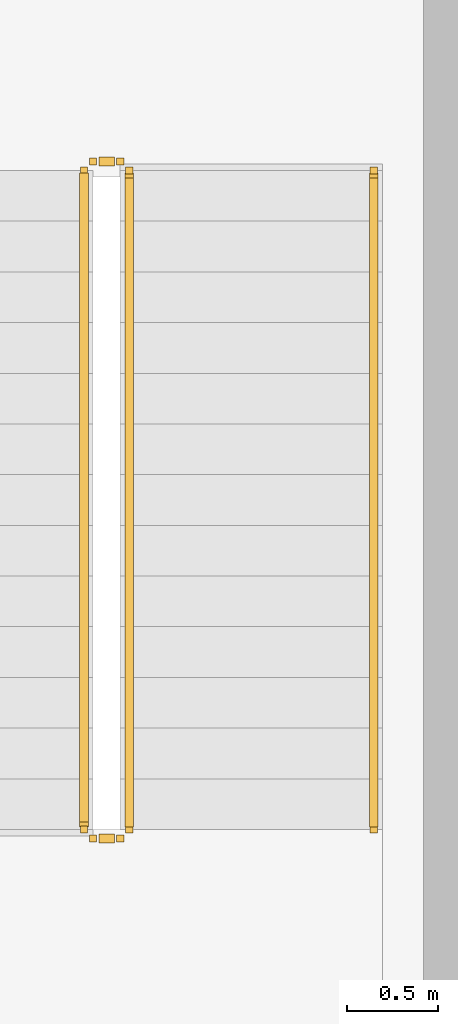
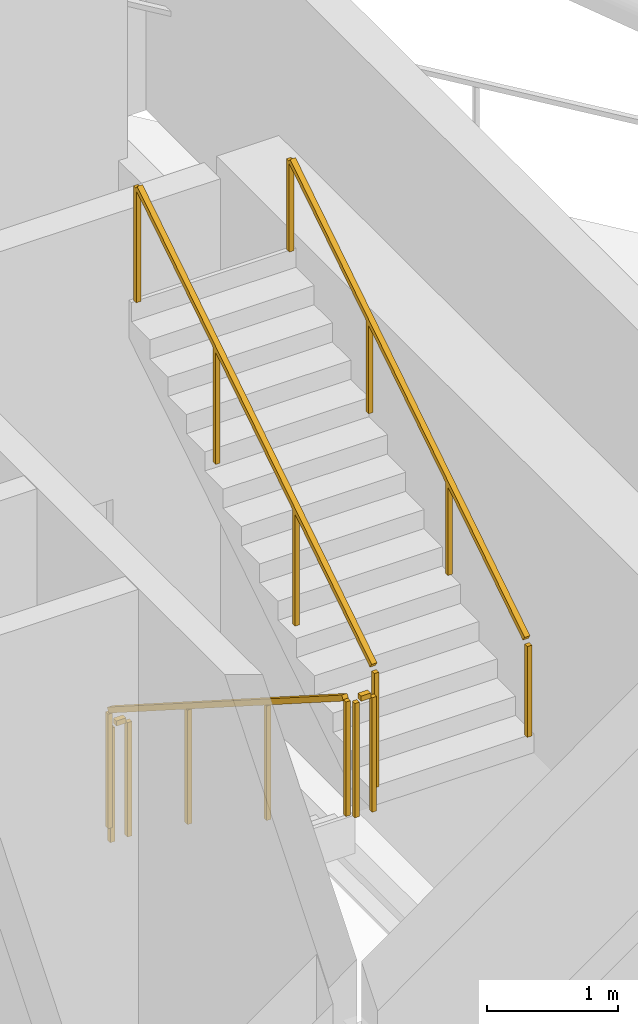
# One storey, part 12 of 13: 5 railings.
"""IFC4 building model written with IfcOpenShell, lengths in metres."""

from ifc_helpers import new_model, si_unit, direction, frame, origin, origin_2d, place, context, subcontext, project, spatial, rectangle, extrude, material, type_object, element, save


model = new_model("IFC4")

# Units and contexts
model_context = context("Model", 3, precision=1e-05, world=origin(), true_north=direction((0.0, 1.0)))
body_context = subcontext(model_context, "Body", "Model", "MODEL_VIEW")
ifc_project = project(units=[si_unit("LENGTHUNIT", "METRE"), si_unit("AREAUNIT", "SQUARE_METRE"), si_unit("VOLUMEUNIT", "CUBIC_METRE"), si_unit("PLANEANGLEUNIT", "RADIAN"), si_unit("MASSUNIT", "GRAM", prefix="KILO")], contexts=[model_context])

# Site, building, storey
site_placement = place(None, origin())
site = spatial("IfcSite", under=ifc_project, at=site_placement, CompositionType="ELEMENT")
building_placement = place(site_placement, origin())
building = spatial("IfcBuilding", under=site, at=building_placement, Name="Tharavind Bronze Gate", CompositionType="ELEMENT")
storey_placement = place(building_placement, frame((0.0, 0.0, 81.10009765625)))
storey = spatial("IfcBuildingStorey", under=building, at=storey_placement, Name="L20", CompositionType="ELEMENT", Elevation=81.10009765625)

# Railings
ifc_material = material(Name="Brushed Bronze Alloy", Category="metal")
railing_type_1 = type_object("IfcRailingType", Name="STAIR BRONZE HANDRAIL 900", PredefinedType="HANDRAIL", material=ifc_material)
railing_1_placement = place(storey_placement, frame((8.35009765625, -1.389892578125, 2.678466796875)))
element("IfcRailing", 1, at=railing_1_placement, inside=storey, type_object=railing_type_1, Name="L20 ST2 stair handrail 2", PredefinedType="HANDRAIL", context=body_context, shape_type="SweptSolid", body=[
    extrude(rectangle(XDim=0.048095703125, YDim=0.048095703125, at=origin_2d()), frame((0.0, 0.027099609375, 0.89306640625), z_axis=(0.0, 0.843111507901, 0.53773877045), x_axis=(-1.0, 0.0, 0.0)), (0.0, 0.0, 1.0), 4.253173828125),
    extrude(rectangle(XDim=0.0400390625, YDim=0.0400390625, at=origin_2d()), origin(), (0.0, 0.0, 1.0), 0.847900390625),
    extrude(rectangle(XDim=0.0400390625, YDim=0.0400390625, at=origin_2d()), frame((0.0, 1.21337890625, 0.77392578125)), (0.0, 0.0, 1.0), 0.847900390625),
    extrude(rectangle(XDim=0.0400390625, YDim=0.0400390625, at=origin_2d()), frame((0.0, 2.426513671875, 1.547607421875)), (0.0, 0.0, 1.0), 0.847900390625),
    extrude(rectangle(XDim=0.0400390625, YDim=0.0400390625, at=origin_2d()), frame((0.0, 3.639892578125, 2.321533203125)), (0.0, 0.0, 1.0), 0.847900390625),
])
railing_type_2 = type_object("IfcRailingType", Name="STAIR WELL GUARD RAILING 1120", PredefinedType="GUARDRAIL", material=ifc_material)
railing_2_placement = place(storey_placement, frame((6.75, 2.25, 0.178466796875)))
element("IfcRailing", 2, at=railing_2_placement, inside=storey, type_object=railing_type_2, Name="L20 ST2 stair guard 1", PredefinedType="GUARDRAIL", context=body_context, shape_type="SweptSolid", body=[
    extrude(rectangle(XDim=0.048095703125, YDim=0.048095703125, at=origin_2d()), frame((0.0, -0.027099609375, 1.11328125), z_axis=(0.0, -0.843111507901, 0.53773877045), x_axis=(1.0, 0.0, 0.0)), (0.0, 0.0, 1.0), 4.253173828125),
    extrude(rectangle(XDim=0.0400390625, YDim=0.0400390625, at=origin_2d()), origin(), (0.0, 0.0, 1.0), 1.068115234375),
    extrude(rectangle(XDim=0.0400390625, YDim=0.0400390625, at=origin_2d()), frame((0.0, -1.21337890625, 0.77392578125)), (0.0, 0.0, 1.0), 1.068115234375),
    extrude(rectangle(XDim=0.0400390625, YDim=0.0400390625, at=origin_2d()), frame((0.0, -2.426513671875, 1.547607421875)), (0.0, 0.0, 1.0), 1.068115234375),
    extrude(rectangle(XDim=0.0400390625, YDim=0.0400390625, at=origin_2d()), frame((0.0, -3.639892578125, 2.321533203125)), (0.0, 0.0, 1.0), 1.068115234375),
])
railing_3_placement = place(storey_placement, frame((6.800048828125, -1.43994140625, 2.5)))
element("IfcRailing", 3, at=railing_3_placement, inside=storey, type_object=railing_type_2, Name="L20 ST2 stair guard 2", PredefinedType="GUARDRAIL", context=body_context, shape_type="SweptSolid", body=[
    extrude(rectangle(XDim=0.048095703125, YDim=0.048095703125, at=origin_2d()), frame((0.031982421875, 0.0, 1.09619140625), z_axis=(1.0, 0.0, 0.0), x_axis=(0.0, 1.0, 0.0)), (0.0, 0.0, 1.0), 0.0859375),
    extrude(rectangle(XDim=0.0400390625, YDim=0.0400390625, at=origin_2d()), origin(), (0.0, 0.0, 1.0), 1.068115234375),
    extrude(rectangle(XDim=0.0400390625, YDim=0.0400390625, at=origin_2d()), frame((0.14990234375, 0.0, 0.0)), (0.0, 0.0, 1.0), 1.068115234375),
])
railing_4_placement = place(storey_placement, frame((7.0, -1.389892578125, 2.678466796875)))
element("IfcRailing", 4, at=railing_4_placement, inside=storey, type_object=railing_type_2, Name="L20 ST2 stair guard 3", PredefinedType="GUARDRAIL", context=body_context, shape_type="SweptSolid", body=[
    extrude(rectangle(XDim=0.048095703125, YDim=0.048095703125, at=origin_2d()), frame((0.0, 0.027099609375, 1.11328125), z_axis=(0.0, 0.843111507901, 0.53773877045), x_axis=(-1.0, 0.0, 0.0)), (0.0, 0.0, 1.0), 4.253173828125),
    extrude(rectangle(XDim=0.0400390625, YDim=0.0400390625, at=origin_2d()), origin(), (0.0, 0.0, 1.0), 1.068115234375),
    extrude(rectangle(XDim=0.0400390625, YDim=0.0400390625, at=origin_2d()), frame((0.0, 1.21337890625, 0.77392578125)), (0.0, 0.0, 1.0), 1.068115234375),
    extrude(rectangle(XDim=0.0400390625, YDim=0.0400390625, at=origin_2d()), frame((0.0, 2.426513671875, 1.547607421875)), (0.0, 0.0, 1.0), 1.068115234375),
    extrude(rectangle(XDim=0.0400390625, YDim=0.0400390625, at=origin_2d()), frame((0.0, 3.639892578125, 2.321533203125)), (0.0, 0.0, 1.0), 1.068115234375),
])
railing_5_placement = place(storey_placement, frame((6.800048828125, 2.300048828125, 0.0)))
element("IfcRailing", 5, at=railing_5_placement, inside=storey, type_object=railing_type_2, Name="L20 ST2 stair guard 4", PredefinedType="GUARDRAIL", context=body_context, shape_type="SweptSolid", body=[
    extrude(rectangle(XDim=0.048095703125, YDim=0.048095703125, at=origin_2d()), frame((0.031982421875, 0.0, 1.09619140625), z_axis=(1.0, 0.0, 0.0), x_axis=(0.0, 1.0, 0.0)), (0.0, 0.0, 1.0), 0.0859375),
    extrude(rectangle(XDim=0.0400390625, YDim=0.0400390625, at=origin_2d()), origin(), (0.0, 0.0, 1.0), 1.068115234375),
    extrude(rectangle(XDim=0.0400390625, YDim=0.0400390625, at=origin_2d()), frame((0.14990234375, 0.0, 0.0)), (0.0, 0.0, 1.0), 1.068115234375),
])

save(model, "model.ifc")
